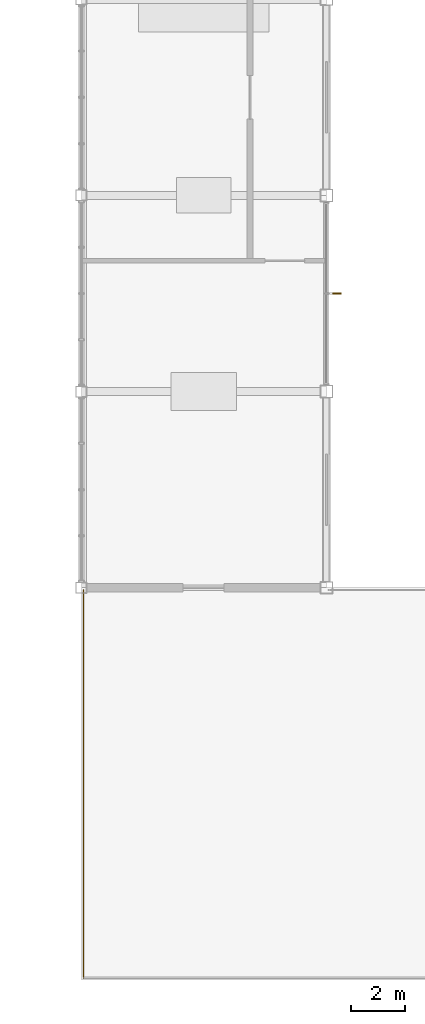
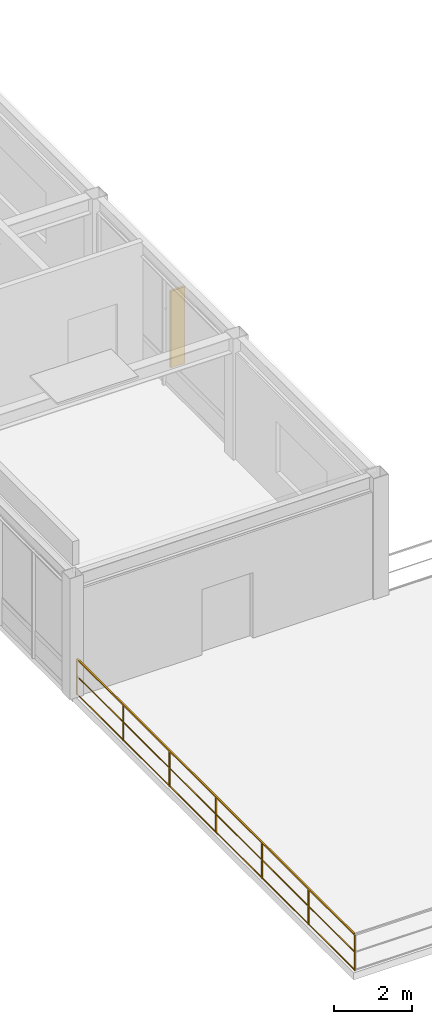
# One storey, part 98 of 106: 1 railing, 1 shading device.
"""IFC4 building model written with IfcOpenShell, lengths in metres."""

import ifcopenshell
import ifcopenshell.guid

model = None  # the IFC model being written
_history = None  # IfcOwnerHistory: only IFC2X3 demands one
_inside = {}  # id of a spatial element -> (the spatial element, [elements in it])
_under = {}  # id of a project, library or spatial element -> (it, [spatial elements below it])
_declared = {}  # id of a project -> (the project, [libraries it declares])
_typed = {}  # id of a type object -> (the type object, [elements of that type])
_made_of = {}  # id of a material, layer set ... -> (it, [elements and type objects made of it])


def new_model(schema):
    """Start an empty IFC model of exactly this schema.

    Asked for "IFC4X3", IfcOpenShell would pick the latest addendum, in which some entities
    have other attributes; the version numbers below select the first issue.
    IFC2X3 requires an IfcOwnerHistory on every rooted entity: one is made here for all.
    """
    global model, _history
    if schema == "IFC4X3":
        model = ifcopenshell.file(schema_version=(4, 3, 0, 0))
    else:
        model = ifcopenshell.file(schema=schema)
    _inside.clear()
    _under.clear()
    _declared.clear()
    _typed.clear()
    _made_of.clear()
    _history = None
    if model.schema == "IFC2X3":
        org = make("IfcOrganization", Name="unknown")
        user = make(
            "IfcPersonAndOrganization",
            ThePerson=make("IfcPerson", FamilyName="unknown"),
            TheOrganization=org,
        )
        app = make(
            "IfcApplication",
            ApplicationDeveloper=org,
            Version="unknown",
            ApplicationFullName="unknown",
            ApplicationIdentifier="unknown",
        )
        _history = make(
            "IfcOwnerHistory",
            OwningUser=user,
            OwningApplication=app,
            ChangeAction="ADDED",
            CreationDate=0,
        )
    return model


def make(cls, **values):
    """One entity of the class cls with the attributes given. An attribute that is None is left unset."""
    return model.create_entity(
        cls, **{name: value for name, value in values.items() if value is not None}
    )


def rooted(cls, **values):
    """An entity with a GlobalId (a new one), such as an element, a storey or a relation."""
    return make(cls, GlobalId=ifcopenshell.guid.new(), OwnerHistory=_history, **values)


def si_unit(unit_type, name, prefix=None):
    """IfcSIUnit, for example si_unit("LENGTHUNIT", "METRE", prefix="MILLI")."""
    return make("IfcSIUnit", UnitType=unit_type, Prefix=prefix, Name=name)


def assignment(units):
    """IfcUnitAssignment: the units of a project."""
    return None if units is None else make("IfcUnitAssignment", Units=units)


def point(xyz):
    """IfcCartesianPoint."""
    return None if xyz is None else make("IfcCartesianPoint", Coordinates=xyz)


def direction(xyz):
    """IfcDirection."""
    return None if xyz is None else make("IfcDirection", DirectionRatios=xyz)


def frame(location, z_axis=None, x_axis=None):
    """IfcAxis2Placement3D, a coordinate frame: its origin and axes. An axis left out is left unset."""
    return make(
        "IfcAxis2Placement3D",
        Location=point(location),
        Axis=direction(z_axis),
        RefDirection=direction(x_axis),
    )


def frame_2d(location, x_axis=None):
    """IfcAxis2Placement2D, a coordinate frame in the plane: its origin and x axis."""
    return make(
        "IfcAxis2Placement2D", Location=point(location), RefDirection=direction(x_axis)
    )


def origin():
    """The frame at (0, 0, 0) with its axes left unset."""
    return frame((0.0, 0.0, 0.0))


def origin_2d():
    """The frame at (0, 0) in the plane with its x axis left unset."""
    return frame_2d((0.0, 0.0))


def place(relative_to, where):
    """IfcLocalPlacement: puts the frame where relative to a parent placement (None: the world)."""
    return make(
        "IfcLocalPlacement", PlacementRelTo=relative_to, RelativePlacement=where
    )


def context(
    kind, dimensions, precision=None, world=None, true_north=None, identifier=None
):
    """IfcGeometricRepresentationContext, for example the 3D "Model" context."""
    return make(
        "IfcGeometricRepresentationContext",
        ContextIdentifier=identifier,
        ContextType=kind,
        CoordinateSpaceDimension=dimensions,
        Precision=precision,
        WorldCoordinateSystem=world,
        TrueNorth=true_north,
    )


def subcontext(parent, identifier, kind, view, scale=None):
    """IfcGeometricRepresentationSubContext, for example "Body" below "Model"."""
    return make(
        "IfcGeometricRepresentationSubContext",
        ContextIdentifier=identifier,
        ContextType=kind,
        ParentContext=parent,
        TargetScale=scale,
        TargetView=view,
    )


def project(units=None, contexts=None):
    """IfcProject with its units and contexts."""
    return rooted(
        "IfcProject",
        Name="project",
        RepresentationContexts=contexts,
        UnitsInContext=assignment(units),
    )


def spatial(cls, under=None, at=None, **own):
    """A site, building, storey or space (cls), placed at a placement, below another one or the project."""
    s = rooted(cls, ObjectPlacement=at, **own)
    if under is not None:
        _under.setdefault(under.id(), (under, []))[1].append(s)
    return s


def profile(cls, at=None, kind="AREA", **sizes):
    """A parametric profile (cls). Its sizes go by their IFC names, for example OverallWidth=200.0."""
    return make(cls, ProfileType=kind, Position=at, **sizes)


def rectangle(**sizes):
    """IfcRectangleProfileDef."""
    return profile("IfcRectangleProfileDef", **sizes)


def extrude(swept, where, along, depth):
    """IfcExtrudedAreaSolid: the profile swept, set in the frame where, extruded along a direction by depth."""
    return make(
        "IfcExtrudedAreaSolid",
        SweptArea=swept,
        Position=where,
        ExtrudedDirection=direction(along),
        Depth=depth,
    )


def shape(context_of_items, identifier, shape_type, items):
    """IfcShapeRepresentation: the items that make up one representation, for example the "Body"."""
    return make(
        "IfcShapeRepresentation",
        ContextOfItems=context_of_items,
        RepresentationIdentifier=identifier,
        RepresentationType=shape_type,
        Items=items,
    )


def material(Name=None, Category=None):
    """IfcMaterial."""
    return make("IfcMaterial", Name=Name, Category=Category)


def made_of(thing, what):
    """Note that an element or type object is made of a material, layer set ...; save() writes the relation."""
    if what is not None:
        _made_of.setdefault(what.id(), (what, []))[1].append(thing)
    return thing


def type_object(cls, material=None, **own):
    """A type object (cls), such as IfcWallType, which elements share."""
    return made_of(rooted(cls, **own), material)


def element(
    cls,
    number,
    at=None,
    inside=None,
    cuts=None,
    type_object=None,
    material=None,
    context=None,
    identifier="Body",
    shape_type=None,
    held_by="IfcProductDefinitionShape",
    body=None,
    shapes=None,
    **own,
):
    """One element of the class cls, such as IfcWall. Its Tag is "e" and its number.

    at: its placement. inside: the storey or other place that contains it. cuts: it is an
    opening in that element (IfcRelVoidsElement). A single representation is given by context,
    identifier, shape_type and body (its items); several are given by shapes. held_by: the class
    of the entity that holds the representations. save() writes the other relations.
    """
    e = rooted(cls, Tag="e%d" % number, ObjectPlacement=at, **own)
    if body is not None:
        shapes = [shape(context, identifier, shape_type, body)]
    if shapes is not None:
        e.Representation = make(held_by, Representations=shapes)
    if inside is not None:
        _inside.setdefault(inside.id(), (inside, []))[1].append(e)
    if cuts is not None:
        rooted(
            "IfcRelVoidsElement", RelatingBuildingElement=cuts, RelatedOpeningElement=e
        )
    if type_object is not None:
        _typed.setdefault(type_object.id(), (type_object, []))[1].append(e)
    return made_of(e, material)


def aggregate(whole, parts):
    """IfcRelAggregates: a whole, such as a stair, and the parts it consists of."""
    return rooted("IfcRelAggregates", RelatingObject=whole, RelatedObjects=parts)


def save(model, path):
    """Write the relations noted so far, then the file.

    IfcRelAggregates (storeys below a building ...), IfcRelContainedInSpatialStructure (elements
    in a storey), IfcRelDefinesByType, IfcRelAssociatesMaterial and IfcRelDeclares: one each for
    every whole, place, type object, material and project.
    """
    for whole, parts in _under.values():
        aggregate(whole, parts)
    for where, things in _inside.values():
        rooted(
            "IfcRelContainedInSpatialStructure",
            RelatedElements=things,
            RelatingStructure=where,
        )
    for kind, things in _typed.values():
        rooted("IfcRelDefinesByType", RelatedObjects=things, RelatingType=kind)
    for what, things in _made_of.values():
        rooted("IfcRelAssociatesMaterial", RelatedObjects=things, RelatingMaterial=what)
    for by, libraries in _declared.values():
        rooted("IfcRelDeclares", RelatingContext=by, RelatedDefinitions=libraries)
    model.write(path)


model = new_model("IFC4")

# Units and contexts
model_context = context("Model", 3, precision=1e-05, world=origin(), true_north=direction((0.0, 1.0)))
body_context = subcontext(model_context, "Body", "Model", "MODEL_VIEW")
ifc_project = project(units=[si_unit("LENGTHUNIT", "METRE"), si_unit("AREAUNIT", "SQUARE_METRE"), si_unit("VOLUMEUNIT", "CUBIC_METRE"), si_unit("PLANEANGLEUNIT", "RADIAN"), si_unit("MASSUNIT", "GRAM", prefix="KILO")], contexts=[model_context])

# Site, building, storey
site_placement = place(None, origin())
site = spatial("IfcSite", under=ifc_project, at=site_placement, CompositionType="ELEMENT")
building_placement = place(site_placement, origin())
building = spatial("IfcBuilding", under=site, at=building_placement, Name="Kazanami Central Library", CompositionType="ELEMENT")
storey_placement = place(building_placement, frame((0.0, 0.0, 12.800048828125)))
storey = spatial("IfcBuildingStorey", under=building, at=storey_placement, Name="L04", CompositionType="ELEMENT", Elevation=12.800048828125)

# Railing
ifc_material_1 = material(Name="Stainless Steel SUS304", Category="steel")
railing_type = type_object("IfcRailingType", Name="RAL-GR-T1", PredefinedType="GUARDRAIL", material=ifc_material_1)
railing_placement = place(storey_placement, frame((45.080078125, 21.679931640625, 0.0)))
element("IfcRailing", 1, at=railing_placement, inside=storey, type_object=railing_type, Name="Terrace Perimeter Guard Public Canal Roof Reading Terrace L04 (West)", PredefinedType="GUARDRAIL", context=body_context, shape_type="SweptSolid", body=[
    extrude(rectangle(XDim=0.0439453125, YDim=0.0439453125, at=origin_2d()), frame((0.0, 0.02587890625, 1.1279296875), z_axis=(0.0, 1.0, 0.0), x_axis=(-1.0, 0.0, 0.0)), (0.0, 0.0, 1.0), 14.18798828125),
    extrude(rectangle(XDim=0.02392578125, YDim=0.02392578125, at=origin_2d()), frame((0.0, 0.02587890625, 0.015869140625), z_axis=(0.0, 1.0, 0.0), x_axis=(-1.0, 0.0, 0.0)), (0.0, 0.0, 1.0), 14.18798828125),
    extrude(rectangle(XDim=0.02392578125, YDim=0.02392578125, at=origin_2d()), frame((0.0, 0.02587890625, 0.574951171875), z_axis=(0.0, 1.0, 0.0), x_axis=(-1.0, 0.0, 0.0)), (0.0, 0.0, 1.0), 14.18798828125),
    extrude(rectangle(XDim=0.035888671875, YDim=0.035888671875, at=origin_2d()), origin(), (0.0, 0.0, 1.0), 1.10205078125),
    extrude(rectangle(XDim=0.035888671875, YDim=0.035888671875, at=origin_2d()), frame((0.0, 2.373291015625, 0.0)), (0.0, 0.0, 1.0), 1.10205078125),
    extrude(rectangle(XDim=0.035888671875, YDim=0.035888671875, at=origin_2d()), frame((0.0, 4.74658203125, 0.0)), (0.0, 0.0, 1.0), 1.10205078125),
    extrude(rectangle(XDim=0.035888671875, YDim=0.035888671875, at=origin_2d()), frame((0.0, 7.1201171875, 0.0)), (0.0, 0.0, 1.0), 1.10205078125),
    extrude(rectangle(XDim=0.035888671875, YDim=0.035888671875, at=origin_2d()), frame((0.0, 9.493408203125, 0.0)), (0.0, 0.0, 1.0), 1.10205078125),
    extrude(rectangle(XDim=0.035888671875, YDim=0.035888671875, at=origin_2d()), frame((0.0, 11.86669921875, 0.0)), (0.0, 0.0, 1.0), 1.10205078125),
    extrude(rectangle(XDim=0.035888671875, YDim=0.035888671875, at=origin_2d()), frame((0.0, 14.239990234375, 0.0)), (0.0, 0.0, 1.0), 1.10205078125),
])

# Shading device
ifc_material_2 = material(Name="Anodised Bronze-Grey Aluminium A6063-T5", Category="aluminium")
shading_device_type = type_object("IfcShadingDeviceType", Name="SHD-FIN-2", PredefinedType="USERDEFINED", material=ifc_material_2)
shading_device_placement = place(storey_placement, frame((54.330078125, 46.800048828125, 0.465087890625), z_axis=(0.0, 0.0, 1.0), x_axis=(0.0, -1.0, 0.0)))
element("IfcShadingDevice", 2, at=shading_device_placement, inside=storey, type_object=shading_device_type, Name="Vertical Solar Fin SF-02 L04 E-7-06.1", ObjectType="SOLAR FIN", PredefinedType="USERDEFINED", context=body_context, shape_type="SweptSolid", body=[
    extrude(rectangle(XDim=0.06494140625, YDim=0.419921875, at=origin_2d()), origin(), (0.0, 0.0, 1.0), 2.39990234375),
])

save(model, "model.ifc")
